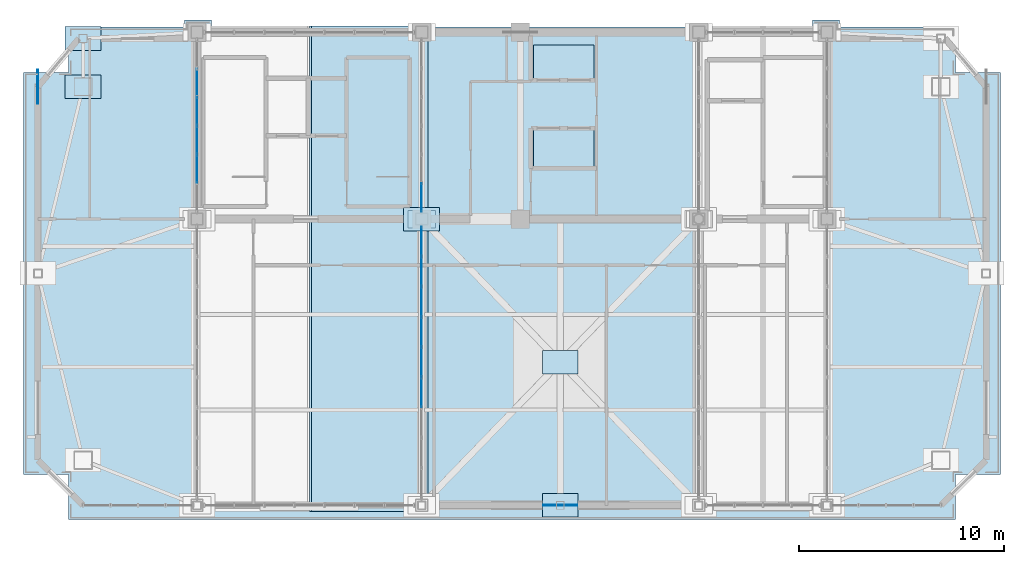
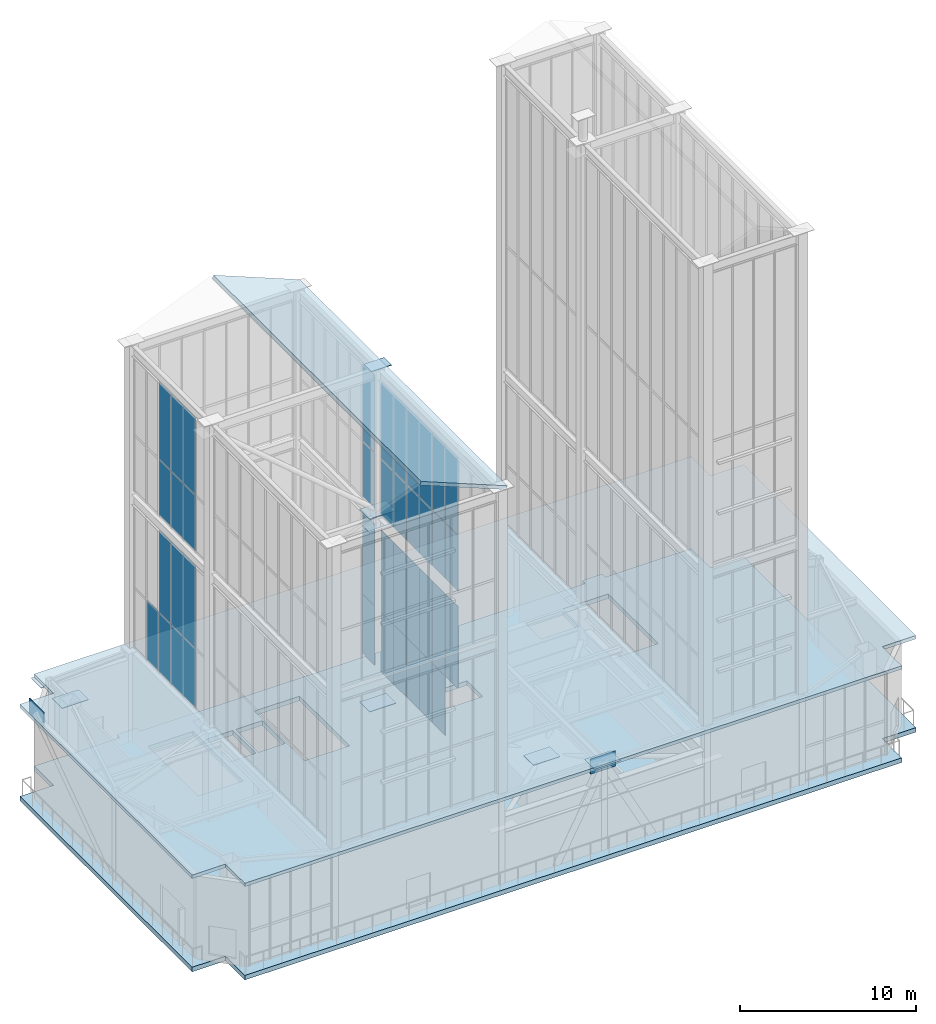
# One storey, part 125 of 135: 50 plates, 3 slabs, 6 elements without a shape of their own.
"""IFC4 building model written with IfcOpenShell, lengths in metres."""

from ifc_helpers import new_model, si_unit, direction, frame, origin, origin_2d, place, context, subcontext, project, spatial, polyline, rectangle, outline, extrude, source, transform, mapped, material, layer, layer_set, type_object, element, aggregate, save


model = new_model("IFC4")

# Units and contexts
model_context = context("Model", 3, precision=1e-05, world=origin(), true_north=direction((0.0, 1.0)))
body_context = subcontext(model_context, "Body", "Model", "MODEL_VIEW")
ifc_project = project(units=[si_unit("LENGTHUNIT", "METRE"), si_unit("AREAUNIT", "SQUARE_METRE"), si_unit("VOLUMEUNIT", "CUBIC_METRE"), si_unit("PLANEANGLEUNIT", "RADIAN"), si_unit("MASSUNIT", "GRAM", prefix="KILO")], contexts=[model_context])

# Site, building, storey
site_placement = place(None, origin())
site = spatial("IfcSite", under=ifc_project, at=site_placement, CompositionType="ELEMENT")
building_placement = place(site_placement, origin())
building = spatial("IfcBuilding", under=site, at=building_placement, Name="Giltprow Tower", CompositionType="ELEMENT")
storey_placement = place(building_placement, frame((0.0, 0.0, 352.699951171875)))
storey = spatial("IfcBuildingStorey", under=building, at=storey_placement, Name="L92", CompositionType="ELEMENT", Elevation=352.699951171875)

# Slabs
ifc_material_1 = material(Name="Concrete C40", Category="concrete")
ifc_layer_1 = layer(ifc_material_1, 0.239990234375, Name="Concrete C40")
ifc_layer_set_1 = layer_set([ifc_layer_1], Name="Concrete C40")
slab_type_1 = type_object("IfcSlabType", Name="SLB-CRN-DECK-240", PredefinedType="USERDEFINED", material=ifc_layer_set_1)
slab_1_placement = place(storey_placement, frame((0.0, 0.0, 6.16015625)))
element("IfcSlab", 1, at=slab_1_placement, inside=storey, type_object=slab_type_1, Name="L92 Crown Base Structural Deck", ObjectType="PLANT_DECK", PredefinedType="USERDEFINED", context=body_context, shape_type="SweptSolid", body=[
    extrude(outline(polyline([(13.60009765625, 22.800048828125), (56.800048828125, 22.800048828125), (56.800048828125, 25.0), (59.0, 25.0), (59.0, 44.60009765625), (56.800048828125, 44.60009765625), (56.800048828125, 46.800048828125), (13.60009765625, 46.800048828125), (13.60009765625, 44.60009765625), (11.39990234375, 44.60009765625), (11.39990234375, 25.0), (13.60009765625, 25.0), (13.60009765625, 22.800048828125)])), origin(), (0.0, 0.0, 1.0), 0.239990234375),
])
ifc_layer_2 = layer(ifc_material_1, 0.25, Name="Concrete C40")
ifc_layer_set_2 = layer_set([ifc_layer_2], Name="Concrete C40")
slab_type_2 = type_object("IfcSlabType", Name="SLB-CRN-ROOF-250", PredefinedType="ROOF", material=ifc_layer_set_2)
slab_2_placement = place(storey_placement, frame((25.423095703125, 23.199951171875, 29.9599609375), z_axis=(0.37450985994, 0.0, 0.927222931558), x_axis=(0.927222931558, 0.0, -0.37450985994)))
element("IfcSlab", 2, at=slab_2_placement, inside=storey, type_object=slab_type_2, Name="Crown West Pitched Roof Slab East", PredefinedType="ROOF", context=body_context, shape_type="SweptSolid", body=[
    extrude(outline(polyline([(0.0, 0.0), (6.122585798848525, 0.0), (6.122585798848525, 23.650146484375), (0.0, 23.650146484375), (0.0, 0.0)])), origin(), (0.0, 0.0, -1.0), 0.25),
])
ifc_layer_3 = layer(ifc_material_1, 0.320068359375, Name="Concrete C40")
ifc_layer_set_3 = layer_set([ifc_layer_3], Name="Concrete C40")
slab_type_3 = type_object("IfcSlabType", Name="SLB-TMD-320", PredefinedType="FLOOR", material=ifc_layer_set_3)
slab_3_placement = place(storey_placement, frame((0.0, 0.0, -0.320068359375)))
element("IfcSlab", 3, at=slab_3_placement, inside=storey, type_object=slab_type_3, Name="L92 Structural Composite Floor Slab", PredefinedType="FLOOR", context=body_context, shape_type="SweptSolid", body=[
    extrude(outline(polyline([(59.0, 44.60009765625), (59.0, 25.0), (56.800048828125, 25.0), (56.800048828125, 22.800048828125), (13.60009765625, 22.800048828125), (13.60009765625, 25.0), (11.39990234375, 25.0), (11.39990234375, 44.60009765625), (13.60009765625, 44.60009765625), (13.60009765625, 46.800048828125), (19.25, 46.800048828125), (19.25, 47.14990234375), (20.550048828125, 47.14990234375), (20.550048828125, 46.800048828125), (49.85009765625, 46.800048828125), (49.85009765625, 47.14990234375), (51.14990234375, 47.14990234375), (51.14990234375, 46.800048828125), (56.800048828125, 46.800048828125), (56.800048828125, 44.60009765625), (59.0, 44.60009765625)]), holes=[polyline([(39.18994140625, 41.800048828125), (36.239990234375, 41.800048828125), (36.239990234375, 40.0), (39.18994140625, 40.0), (39.18994140625, 41.800048828125)]), polyline([(23.159912109375, 45.25), (20.199951171875, 45.25), (20.199951171875, 39.570068359375), (23.159912109375, 39.570068359375), (23.159912109375, 45.25)]), polyline([(30.159912109375, 45.25), (27.199951171875, 45.25), (27.199951171875, 39.570068359375), (30.159912109375, 39.570068359375), (30.159912109375, 45.25)]), polyline([(50.4599609375, 45.25), (47.5, 45.25), (47.5, 39.570068359375), (50.4599609375, 39.570068359375), (50.4599609375, 45.25)]), polyline([(25.169921875, 44.199951171875), (23.449951171875, 44.199951171875), (23.449951171875, 41.60009765625), (25.169921875, 41.60009765625), (25.169921875, 44.199951171875)]), polyline([(27.10009765625, 44.199951171875), (25.35009765625, 44.199951171875), (25.35009765625, 41.60009765625), (27.10009765625, 41.60009765625), (27.10009765625, 44.199951171875)]), polyline([(47.3798828125, 45.10009765625), (44.919921875, 45.10009765625), (44.919921875, 43.300048828125), (47.3798828125, 43.300048828125), (47.3798828125, 45.10009765625)]), polyline([(39.18994140625, 45.919921875), (36.239990234375, 45.919921875), (36.239990234375, 44.300048828125), (39.18994140625, 44.300048828125), (39.18994140625, 45.919921875)])]), origin(), (0.0, 0.0, 1.0), 0.320068359375),
])

# Plates
ifc_material_2 = material(Name="Structural steel Q420GJC", Category="steel")
plate_type_1 = type_object("IfcPlateType", Name="PLT-CAP-SEAL-INT", PredefinedType="USERDEFINED", material=ifc_material_2)
shared_shape_1 = source(origin(), body_context, "Body", "SweptSolid", [
    extrude(rectangle(XDim=1.75, YDim=1.14990234375, at=origin_2d()), origin(), (0.0, 0.0, 1.0), 0.0400390625),
])
for number, where, z_axis, x_axis, name in (
    (4, (14.300048828125, 43.89990234375, 6.14013671875), (0.0, 0.0, 1.0), (1.0, 0.0, 0.0), "L92 Column Top Seal Plate MC_NW"),
    (5, (37.550048828125, 23.5, 6.14013671875), (0.0, 0.0, 1.0), (1.0, 0.0, 0.0), "L92 Column Top Seal Plate S_MID"),
    (6, (14.300048828125, 46.25, 6.14013671875), (0.0, 0.0, 1.0), (1.0, 0.0, 0.0), "L92 Column Top Seal Plate N_W"),
    (7, (30.800048828125, 37.449951171875, 4.030029296875), (0.0, 0.0, 1.0), (1.0, 0.0, 0.0), "TMD Strut Upper Seal 4"),
    (8, (37.550048828125, 30.47509765625, 2.179931640625), (0.0, 0.0, 1.0), (1.0, 0.0, 0.0), "TMD Central Hub Seal Plate"),
    (9, (30.800048828125, 37.449951171875, 16.47998046875), (0.0, 0.0, 1.0), (1.0, 0.0, 0.0), "Crown Brace Upper Seal Plate WEST-1"),
    (10, (30.800048828125, 37.449951171875, 17.429931640625), (0.0, 0.0, 1.0), (1.0, 0.0, 0.0), "Crown Brace Lower Seal Plate WEST-2"),
):
    element("IfcPlate", number, at=place(storey_placement, frame(where, z_axis=z_axis, x_axis=x_axis)), inside=storey, type_object=plate_type_1, Name=name, ObjectType="SPLICE", PredefinedType="USERDEFINED", context=body_context, shape_type="MappedRepresentation", body=[
        mapped(shared_shape_1, transform((0.0, 0.0, 0.0), x_axis=(1.0, 0.0, 0.0), y_axis=(0.0, 1.0, 0.0), z_axis=(0.0, 0.0, 1.0), scale=1.0)),
    ])
plate_type_2 = type_object("IfcPlateType", Name="PLT-NODE-MBN2", PredefinedType="USERDEFINED", material=ifc_material_2)
shared_shape_2 = source(origin(), body_context, "Body", "SweptSolid", [
    extrude(rectangle(XDim=1.64990234375, YDim=0.044921875, at=origin_2d()), origin(), (0.0, 0.0, 1.0), 1.050048828125),
])
for number, where, z_axis, x_axis, name in (
    (11, (37.550048828125, 23.5, 5.47509765625), (0.0, 0.0, 1.0), (1.0, 0.0, 0.0), "Mega-Brace Node L92-S-LB"),
    (12, (12.10009765625, 43.89990234375, 5.47509765625), (0.0, 0.0, 1.0), (0.0, 1.0, 0.0), "Mega-Brace Node L92-W-DB"),
):
    element("IfcPlate", number, at=place(storey_placement, frame(where, z_axis=z_axis, x_axis=x_axis)), inside=storey, type_object=plate_type_2, Name=name, ObjectType="GUSSET", PredefinedType="USERDEFINED", context=body_context, shape_type="MappedRepresentation", body=[
        mapped(shared_shape_2, transform((0.0, 0.0, 0.0), x_axis=(1.0, 0.0, 0.0), y_axis=(0.0, 1.0, 0.0), z_axis=(0.0, 0.0, 1.0), scale=1.0)),
    ])
plate_type_3 = type_object("IfcPlateType", Name="PLT-NODE-CRN1", PredefinedType="USERDEFINED", material=ifc_material_2)
shared_shape_3 = source(origin(), body_context, "Body", "SweptSolid", [
    extrude(rectangle(XDim=1.35009765625, YDim=0.85009765625, at=origin_2d()), origin(), (0.0, 0.0, 1.0), 0.035888671875),
])
plate_1_placement = place(storey_placement, frame((30.800048828125, 37.449951171875, 27.529296875), z_axis=(0.0, 0.0, 1.0), x_axis=(1.0, 0.0, 0.0)))
element("IfcPlate", 13, at=plate_1_placement, inside=storey, type_object=plate_type_3, Name="CRN1 Crown Frame Ring Node WEST-3", ObjectType="SPLICE", PredefinedType="USERDEFINED", context=body_context, shape_type="MappedRepresentation", body=[
    mapped(shared_shape_3, transform((0.0, 0.0, 0.0), x_axis=(1.0, 0.0, 0.0), y_axis=(0.0, 1.0, 0.0), z_axis=(0.0, 0.0, 1.0), scale=1.0)),
])

# Curtain wall, plates
ifc_material_3 = material(Name="Anodized bronze", Category="metal")
ifc_layer_4 = layer(ifc_material_3, 0.179931640625, Name="Anodized bronze")
ifc_layer_set_4 = layer_set([ifc_layer_4], Name="Anodized bronze")
curtain_wall_type = type_object("IfcCurtainWallType", Name="CW-CROWN-LANTERN", PredefinedType="NOTDEFINED", material=ifc_layer_set_4)
curtain_wall_1_placement = place(storey_placement, origin())
curtain_wall_1 = element("IfcCurtainWall", 14, at=curtain_wall_1_placement, inside=storey, type_object=curtain_wall_type, Name="Crown West Lower Lantern Glazing 2", PredefinedType="NOTDEFINED")
ifc_material_4 = material(Name="Insulated glass", Category="glass")
plate_type_4 = type_object("IfcPlateType", Name="CW-PANEL-IGU-28", PredefinedType="CURTAIN_PANEL", material=ifc_material_4)
shared_shape_4 = source(origin(), body_context, "Body", "SweptSolid", [
    extrude(rectangle(XDim=1.44189453125, YDim=0.028076171875, at=origin_2d()), origin(), (0.0, 0.0, 1.0), 4.111083984375),
])
plate_2_placement = place(storey_placement, frame((30.800048828125, 30.47509765625, 6.45361328125), z_axis=(0.0, 0.0, 1.0), x_axis=(0.0, 1.0, 0.0)))
plate_2 = element("IfcPlate", 15, at=plate_2_placement, type_object=plate_type_4, Name="Crown West Lower Lantern Glazing 2 Glazing Panel 5-1", PredefinedType="CURTAIN_PANEL", context=body_context, shape_type="MappedRepresentation", body=[
    mapped(shared_shape_4, transform((0.0, 0.0, 0.0), x_axis=(1.0, 0.0, 0.0), y_axis=(0.0, 1.0, 0.0), z_axis=(0.0, 0.0, 1.0), scale=1.0)),
])
plate_3_placement = place(storey_placement, frame((30.800048828125, 31.947021484375, 6.45361328125), z_axis=(0.0, 0.0, 1.0), x_axis=(0.0, 1.0, 0.0)))
plate_3 = element("IfcPlate", 16, at=plate_3_placement, type_object=plate_type_4, Name="Crown West Lower Lantern Glazing 2 Glazing Panel 6-1", PredefinedType="CURTAIN_PANEL", context=body_context, shape_type="MappedRepresentation", body=[
    mapped(shared_shape_4, transform((0.0, 0.0, 0.0), x_axis=(1.0, 0.0, 0.0), y_axis=(0.0, 1.0, 0.0), z_axis=(0.0, 0.0, 1.0), scale=1.0)),
])
plate_4_placement = place(storey_placement, frame((30.800048828125, 33.4189453125, 6.45361328125), z_axis=(0.0, 0.0, 1.0), x_axis=(0.0, 1.0, 0.0)))
plate_4 = element("IfcPlate", 17, at=plate_4_placement, type_object=plate_type_4, Name="Crown West Lower Lantern Glazing 2 Glazing Panel 7-1", PredefinedType="CURTAIN_PANEL", context=body_context, shape_type="MappedRepresentation", body=[
    mapped(shared_shape_4, transform((0.0, 0.0, 0.0), x_axis=(1.0, 0.0, 0.0), y_axis=(0.0, 1.0, 0.0), z_axis=(0.0, 0.0, 1.0), scale=1.0)),
])
plate_5_placement = place(storey_placement, frame((30.800048828125, 34.89208984375, 6.45361328125), z_axis=(0.0, 0.0, 1.0), x_axis=(0.0, 1.0, 0.0)))
plate_5 = element("IfcPlate", 18, at=plate_5_placement, type_object=plate_type_4, Name="Crown West Lower Lantern Glazing 2 Glazing Panel 8-1", PredefinedType="CURTAIN_PANEL", context=body_context, shape_type="MappedRepresentation", body=[
    mapped(shared_shape_4, transform((0.0, 0.0, 0.0), x_axis=(1.0, 0.0, 0.0), y_axis=(0.0, 1.0, 0.0), z_axis=(0.0, 0.0, 1.0), scale=1.0)),
])
plate_6_placement = place(storey_placement, frame((30.800048828125, 36.364013671875, 6.45361328125), z_axis=(0.0, 0.0, 1.0), x_axis=(0.0, 1.0, 0.0)))
plate_6 = element("IfcPlate", 19, at=plate_6_placement, type_object=plate_type_4, Name="Crown West Lower Lantern Glazing 2 Glazing Panel 9-1", PredefinedType="CURTAIN_PANEL", context=body_context, shape_type="MappedRepresentation", body=[
    mapped(shared_shape_4, transform((0.0, 0.0, 0.0), x_axis=(1.0, 0.0, 0.0), y_axis=(0.0, 1.0, 0.0), z_axis=(0.0, 0.0, 1.0), scale=1.0)),
])
shared_shape_5 = source(origin(), body_context, "Body", "SweptSolid", [
    extrude(rectangle(XDim=1.44189453125, YDim=0.028076171875, at=origin_2d()), origin(), (0.0, 0.0, 1.0), 5.702880859375),
])
plate_7_placement = place(storey_placement, frame((30.800048828125, 29.0029296875, 10.5927734375), z_axis=(0.0, 0.0, 1.0), x_axis=(0.0, 1.0, 0.0)))
plate_7 = element("IfcPlate", 20, at=plate_7_placement, type_object=plate_type_4, Name="Crown West Lower Lantern Glazing 2 Glazing Panel 4-2", PredefinedType="CURTAIN_PANEL", context=body_context, shape_type="MappedRepresentation", body=[
    mapped(shared_shape_5, transform((0.0, 0.0, 0.0), x_axis=(1.0, 0.0, 0.0), y_axis=(0.0, 1.0, 0.0), z_axis=(0.0, 0.0, 1.0), scale=1.0)),
])
plate_8_placement = place(storey_placement, frame((30.800048828125, 30.47509765625, 10.5927734375), z_axis=(0.0, 0.0, 1.0), x_axis=(0.0, 1.0, 0.0)))
plate_8 = element("IfcPlate", 21, at=plate_8_placement, type_object=plate_type_4, Name="Crown West Lower Lantern Glazing 2 Glazing Panel 5-2", PredefinedType="CURTAIN_PANEL", context=body_context, shape_type="MappedRepresentation", body=[
    mapped(shared_shape_5, transform((0.0, 0.0, 0.0), x_axis=(1.0, 0.0, 0.0), y_axis=(0.0, 1.0, 0.0), z_axis=(0.0, 0.0, 1.0), scale=1.0)),
])
plate_9_placement = place(storey_placement, frame((30.800048828125, 31.947021484375, 10.5927734375), z_axis=(0.0, 0.0, 1.0), x_axis=(0.0, 1.0, 0.0)))
plate_9 = element("IfcPlate", 22, at=plate_9_placement, type_object=plate_type_4, Name="Crown West Lower Lantern Glazing 2 Glazing Panel 6-2", PredefinedType="CURTAIN_PANEL", context=body_context, shape_type="MappedRepresentation", body=[
    mapped(shared_shape_5, transform((0.0, 0.0, 0.0), x_axis=(1.0, 0.0, 0.0), y_axis=(0.0, 1.0, 0.0), z_axis=(0.0, 0.0, 1.0), scale=1.0)),
])
plate_10_placement = place(storey_placement, frame((30.800048828125, 33.4189453125, 10.5927734375), z_axis=(0.0, 0.0, 1.0), x_axis=(0.0, 1.0, 0.0)))
plate_10 = element("IfcPlate", 23, at=plate_10_placement, type_object=plate_type_4, Name="Crown West Lower Lantern Glazing 2 Glazing Panel 7-2", PredefinedType="CURTAIN_PANEL", context=body_context, shape_type="MappedRepresentation", body=[
    mapped(shared_shape_5, transform((0.0, 0.0, 0.0), x_axis=(1.0, 0.0, 0.0), y_axis=(0.0, 1.0, 0.0), z_axis=(0.0, 0.0, 1.0), scale=1.0)),
])
plate_11_placement = place(storey_placement, frame((30.800048828125, 34.89208984375, 10.5927734375), z_axis=(0.0, 0.0, 1.0), x_axis=(0.0, 1.0, 0.0)))
plate_11 = element("IfcPlate", 24, at=plate_11_placement, type_object=plate_type_4, Name="Crown West Lower Lantern Glazing 2 Glazing Panel 8-2", PredefinedType="CURTAIN_PANEL", context=body_context, shape_type="MappedRepresentation", body=[
    mapped(shared_shape_5, transform((0.0, 0.0, 0.0), x_axis=(1.0, 0.0, 0.0), y_axis=(0.0, 1.0, 0.0), z_axis=(0.0, 0.0, 1.0), scale=1.0)),
])
plate_12_placement = place(storey_placement, frame((30.800048828125, 36.364013671875, 10.5927734375), z_axis=(0.0, 0.0, 1.0), x_axis=(0.0, 1.0, 0.0)))
plate_12 = element("IfcPlate", 25, at=plate_12_placement, type_object=plate_type_4, Name="Crown West Lower Lantern Glazing 2 Glazing Panel 9-2", PredefinedType="CURTAIN_PANEL", context=body_context, shape_type="MappedRepresentation", body=[
    mapped(shared_shape_5, transform((0.0, 0.0, 0.0), x_axis=(1.0, 0.0, 0.0), y_axis=(0.0, 1.0, 0.0), z_axis=(0.0, 0.0, 1.0), scale=1.0)),
])
aggregate(curtain_wall_1, [plate_7, plate_2, plate_8, plate_3, plate_9, plate_4, plate_10, plate_5, plate_11, plate_6, plate_12])

curtain_wall_2_placement = place(storey_placement, origin())
curtain_wall_2 = element("IfcCurtainWall", 26, at=curtain_wall_2_placement, inside=storey, type_object=curtain_wall_type, Name="Crown West Upper Lantern Glazing 2", PredefinedType="NOTDEFINED")
shared_shape_6 = source(origin(), body_context, "Body", "SweptSolid", [
    extrude(rectangle(XDim=1.44189453125, YDim=0.028076171875, at=origin_2d()), origin(), (0.0, 0.0, 1.0), 3.865966796875),
])
plate_13_placement = place(storey_placement, frame((30.800048828125, 29.0029296875, 17.35400390625), z_axis=(0.0, 0.0, 1.0), x_axis=(0.0, 1.0, 0.0)))
plate_13 = element("IfcPlate", 27, at=plate_13_placement, type_object=plate_type_4, Name="Crown West Upper Lantern Glazing 2 Glazing Panel 4-1", PredefinedType="CURTAIN_PANEL", context=body_context, shape_type="MappedRepresentation", body=[
    mapped(shared_shape_6, transform((0.0, 0.0, 0.0), x_axis=(1.0, 0.0, 0.0), y_axis=(0.0, 1.0, 0.0), z_axis=(0.0, 0.0, 1.0), scale=1.0)),
])
plate_14_placement = place(storey_placement, frame((30.800048828125, 30.47509765625, 17.35400390625), z_axis=(0.0, 0.0, 1.0), x_axis=(0.0, 1.0, 0.0)))
plate_14 = element("IfcPlate", 28, at=plate_14_placement, type_object=plate_type_4, Name="Crown West Upper Lantern Glazing 2 Glazing Panel 5-1", PredefinedType="CURTAIN_PANEL", context=body_context, shape_type="MappedRepresentation", body=[
    mapped(shared_shape_6, transform((0.0, 0.0, 0.0), x_axis=(1.0, 0.0, 0.0), y_axis=(0.0, 1.0, 0.0), z_axis=(0.0, 0.0, 1.0), scale=1.0)),
])
plate_15_placement = place(storey_placement, frame((30.800048828125, 31.947021484375, 17.35400390625), z_axis=(0.0, 0.0, 1.0), x_axis=(0.0, 1.0, 0.0)))
plate_15 = element("IfcPlate", 29, at=plate_15_placement, type_object=plate_type_4, Name="Crown West Upper Lantern Glazing 2 Glazing Panel 6-1", PredefinedType="CURTAIN_PANEL", context=body_context, shape_type="MappedRepresentation", body=[
    mapped(shared_shape_6, transform((0.0, 0.0, 0.0), x_axis=(1.0, 0.0, 0.0), y_axis=(0.0, 1.0, 0.0), z_axis=(0.0, 0.0, 1.0), scale=1.0)),
])
plate_16_placement = place(storey_placement, frame((30.800048828125, 33.4189453125, 17.35400390625), z_axis=(0.0, 0.0, 1.0), x_axis=(0.0, 1.0, 0.0)))
plate_16 = element("IfcPlate", 30, at=plate_16_placement, type_object=plate_type_4, Name="Crown West Upper Lantern Glazing 2 Glazing Panel 7-1", PredefinedType="CURTAIN_PANEL", context=body_context, shape_type="MappedRepresentation", body=[
    mapped(shared_shape_6, transform((0.0, 0.0, 0.0), x_axis=(1.0, 0.0, 0.0), y_axis=(0.0, 1.0, 0.0), z_axis=(0.0, 0.0, 1.0), scale=1.0)),
])
plate_17_placement = place(storey_placement, frame((30.800048828125, 34.89208984375, 17.35400390625), z_axis=(0.0, 0.0, 1.0), x_axis=(0.0, 1.0, 0.0)))
plate_17 = element("IfcPlate", 31, at=plate_17_placement, type_object=plate_type_4, Name="Crown West Upper Lantern Glazing 2 Glazing Panel 8-1", PredefinedType="CURTAIN_PANEL", context=body_context, shape_type="MappedRepresentation", body=[
    mapped(shared_shape_6, transform((0.0, 0.0, 0.0), x_axis=(1.0, 0.0, 0.0), y_axis=(0.0, 1.0, 0.0), z_axis=(0.0, 0.0, 1.0), scale=1.0)),
])
plate_18_placement = place(storey_placement, frame((30.800048828125, 36.364013671875, 17.35400390625), z_axis=(0.0, 0.0, 1.0), x_axis=(0.0, 1.0, 0.0)))
plate_18 = element("IfcPlate", 32, at=plate_18_placement, type_object=plate_type_4, Name="Crown West Upper Lantern Glazing 2 Glazing Panel 9-1", PredefinedType="CURTAIN_PANEL", context=body_context, shape_type="MappedRepresentation", body=[
    mapped(shared_shape_6, transform((0.0, 0.0, 0.0), x_axis=(1.0, 0.0, 0.0), y_axis=(0.0, 1.0, 0.0), z_axis=(0.0, 0.0, 1.0), scale=1.0)),
])
shared_shape_7 = source(origin(), body_context, "Body", "SweptSolid", [
    extrude(rectangle(XDim=1.44189453125, YDim=0.028076171875, at=origin_2d()), origin(), (0.0, 0.0, 1.0), 5.364990234375),
])
plate_19_placement = place(storey_placement, frame((30.800048828125, 29.0029296875, 21.24755859375), z_axis=(0.0, 0.0, 1.0), x_axis=(0.0, 1.0, 0.0)))
plate_19 = element("IfcPlate", 33, at=plate_19_placement, type_object=plate_type_4, Name="Crown West Upper Lantern Glazing 2 Glazing Panel 4-2", PredefinedType="CURTAIN_PANEL", context=body_context, shape_type="MappedRepresentation", body=[
    mapped(shared_shape_7, transform((0.0, 0.0, 0.0), x_axis=(1.0, 0.0, 0.0), y_axis=(0.0, 1.0, 0.0), z_axis=(0.0, 0.0, 1.0), scale=1.0)),
])
plate_20_placement = place(storey_placement, frame((30.800048828125, 30.47509765625, 21.24755859375), z_axis=(0.0, 0.0, 1.0), x_axis=(0.0, 1.0, 0.0)))
plate_20 = element("IfcPlate", 34, at=plate_20_placement, type_object=plate_type_4, Name="Crown West Upper Lantern Glazing 2 Glazing Panel 5-2", PredefinedType="CURTAIN_PANEL", context=body_context, shape_type="MappedRepresentation", body=[
    mapped(shared_shape_7, transform((0.0, 0.0, 0.0), x_axis=(1.0, 0.0, 0.0), y_axis=(0.0, 1.0, 0.0), z_axis=(0.0, 0.0, 1.0), scale=1.0)),
])
plate_21_placement = place(storey_placement, frame((30.800048828125, 31.947021484375, 21.24755859375), z_axis=(0.0, 0.0, 1.0), x_axis=(0.0, 1.0, 0.0)))
plate_21 = element("IfcPlate", 35, at=plate_21_placement, type_object=plate_type_4, Name="Crown West Upper Lantern Glazing 2 Glazing Panel 6-2", PredefinedType="CURTAIN_PANEL", context=body_context, shape_type="MappedRepresentation", body=[
    mapped(shared_shape_7, transform((0.0, 0.0, 0.0), x_axis=(1.0, 0.0, 0.0), y_axis=(0.0, 1.0, 0.0), z_axis=(0.0, 0.0, 1.0), scale=1.0)),
])
plate_22_placement = place(storey_placement, frame((30.800048828125, 33.4189453125, 21.24755859375), z_axis=(0.0, 0.0, 1.0), x_axis=(0.0, 1.0, 0.0)))
plate_22 = element("IfcPlate", 36, at=plate_22_placement, type_object=plate_type_4, Name="Crown West Upper Lantern Glazing 2 Glazing Panel 7-2", PredefinedType="CURTAIN_PANEL", context=body_context, shape_type="MappedRepresentation", body=[
    mapped(shared_shape_7, transform((0.0, 0.0, 0.0), x_axis=(1.0, 0.0, 0.0), y_axis=(0.0, 1.0, 0.0), z_axis=(0.0, 0.0, 1.0), scale=1.0)),
])
plate_23_placement = place(storey_placement, frame((30.800048828125, 34.89208984375, 21.24755859375), z_axis=(0.0, 0.0, 1.0), x_axis=(0.0, 1.0, 0.0)))
plate_23 = element("IfcPlate", 37, at=plate_23_placement, type_object=plate_type_4, Name="Crown West Upper Lantern Glazing 2 Glazing Panel 8-2", PredefinedType="CURTAIN_PANEL", context=body_context, shape_type="MappedRepresentation", body=[
    mapped(shared_shape_7, transform((0.0, 0.0, 0.0), x_axis=(1.0, 0.0, 0.0), y_axis=(0.0, 1.0, 0.0), z_axis=(0.0, 0.0, 1.0), scale=1.0)),
])
plate_24_placement = place(storey_placement, frame((30.800048828125, 36.364013671875, 21.24755859375), z_axis=(0.0, 0.0, 1.0), x_axis=(0.0, 1.0, 0.0)))
plate_24 = element("IfcPlate", 38, at=plate_24_placement, type_object=plate_type_4, Name="Crown West Upper Lantern Glazing 2 Glazing Panel 9-2", PredefinedType="CURTAIN_PANEL", context=body_context, shape_type="MappedRepresentation", body=[
    mapped(shared_shape_7, transform((0.0, 0.0, 0.0), x_axis=(1.0, 0.0, 0.0), y_axis=(0.0, 1.0, 0.0), z_axis=(0.0, 0.0, 1.0), scale=1.0)),
])
aggregate(curtain_wall_2, [plate_13, plate_19, plate_14, plate_20, plate_15, plate_21, plate_16, plate_22, plate_17, plate_23, plate_18, plate_24])

# Curtain wall, plate
curtain_wall_3_placement = place(storey_placement, origin())
curtain_wall_3 = element("IfcCurtainWall", 39, at=curtain_wall_3_placement, inside=storey, type_object=curtain_wall_type, Name="Crown West Lower Lantern Glazing 3", PredefinedType="NOTDEFINED")
shared_shape_8 = source(origin(), body_context, "Body", "SweptSolid", [
    extrude(rectangle(XDim=1.3701171875, YDim=0.028076171875, at=origin_2d()), origin(), (0.0, 0.0, 1.0), 4.111083984375),
])
plate_25_placement = place(storey_placement, frame((30.800048828125, 38.5, 6.45361328125), z_axis=(0.0, 0.0, 1.0), x_axis=(0.0, 1.0, 0.0)))
plate_25 = element("IfcPlate", 40, at=plate_25_placement, type_object=plate_type_4, Name="Crown West Lower Lantern Glazing 3 Glazing Panel 1-1", PredefinedType="CURTAIN_PANEL", context=body_context, shape_type="MappedRepresentation", body=[
    mapped(shared_shape_8, transform((0.0, 0.0, 0.0), x_axis=(1.0, 0.0, 0.0), y_axis=(0.0, 1.0, 0.0), z_axis=(0.0, 0.0, 1.0), scale=1.0)),
])

# Curtain wall, plates
curtain_wall_4_placement = place(storey_placement, origin())
curtain_wall_4 = element("IfcCurtainWall", 41, at=curtain_wall_4_placement, inside=storey, type_object=curtain_wall_type, Name="Crown West Lower Lantern Glazing 5", PredefinedType="NOTDEFINED")
plate_26_placement = place(storey_placement, frame((19.85009765625, 44.10009765625, 6.45361328125), z_axis=(0.0, 0.0, 1.0), x_axis=(0.0, -1.0, 0.0)))
plate_26 = element("IfcPlate", 42, at=plate_26_placement, type_object=plate_type_4, Name="Crown West Lower Lantern Glazing 5 Glazing Panel 2-1", PredefinedType="CURTAIN_PANEL", context=body_context, shape_type="MappedRepresentation", body=[
    mapped(shared_shape_8, transform((0.0, 0.0, 0.0), x_axis=(1.0, 0.0, 0.0), y_axis=(0.0, 1.0, 0.0), z_axis=(0.0, 0.0, 1.0), scale=1.0)),
])
plate_27_placement = place(storey_placement, frame((19.85009765625, 42.699951171875, 6.45361328125), z_axis=(0.0, 0.0, 1.0), x_axis=(0.0, -1.0, 0.0)))
plate_27 = element("IfcPlate", 43, at=plate_27_placement, type_object=plate_type_4, Name="Crown West Lower Lantern Glazing 5 Glazing Panel 3-1", PredefinedType="CURTAIN_PANEL", context=body_context, shape_type="MappedRepresentation", body=[
    mapped(shared_shape_8, transform((0.0, 0.0, 0.0), x_axis=(1.0, 0.0, 0.0), y_axis=(0.0, 1.0, 0.0), z_axis=(0.0, 0.0, 1.0), scale=1.0)),
])
plate_28_placement = place(storey_placement, frame((19.85009765625, 41.300048828125, 6.45361328125), z_axis=(0.0, 0.0, 1.0), x_axis=(0.0, -1.0, 0.0)))
plate_28 = element("IfcPlate", 44, at=plate_28_placement, type_object=plate_type_4, Name="Crown West Lower Lantern Glazing 5 Glazing Panel 4-1", PredefinedType="CURTAIN_PANEL", context=body_context, shape_type="MappedRepresentation", body=[
    mapped(shared_shape_8, transform((0.0, 0.0, 0.0), x_axis=(1.0, 0.0, 0.0), y_axis=(0.0, 1.0, 0.0), z_axis=(0.0, 0.0, 1.0), scale=1.0)),
])
plate_29_placement = place(storey_placement, frame((19.85009765625, 39.89990234375, 6.45361328125), z_axis=(0.0, 0.0, 1.0), x_axis=(0.0, -1.0, 0.0)))
plate_29 = element("IfcPlate", 45, at=plate_29_placement, type_object=plate_type_4, Name="Crown West Lower Lantern Glazing 5 Glazing Panel 5-1", PredefinedType="CURTAIN_PANEL", context=body_context, shape_type="MappedRepresentation", body=[
    mapped(shared_shape_8, transform((0.0, 0.0, 0.0), x_axis=(1.0, 0.0, 0.0), y_axis=(0.0, 1.0, 0.0), z_axis=(0.0, 0.0, 1.0), scale=1.0)),
])

# Plate
shared_shape_9 = source(origin(), body_context, "Body", "SweptSolid", [
    extrude(rectangle(XDim=1.3701171875, YDim=0.028076171875, at=origin_2d()), origin(), (0.0, 0.0, 1.0), 5.702880859375),
])
plate_30_placement = place(storey_placement, frame((30.800048828125, 38.5, 10.5927734375), z_axis=(0.0, 0.0, 1.0), x_axis=(0.0, 1.0, 0.0)))
plate_30 = element("IfcPlate", 46, at=plate_30_placement, type_object=plate_type_4, Name="Crown West Lower Lantern Glazing 3 Glazing Panel 1-2", PredefinedType="CURTAIN_PANEL", context=body_context, shape_type="MappedRepresentation", body=[
    mapped(shared_shape_9, transform((0.0, 0.0, 0.0), x_axis=(1.0, 0.0, 0.0), y_axis=(0.0, 1.0, 0.0), z_axis=(0.0, 0.0, 1.0), scale=1.0)),
])

aggregate(curtain_wall_3, [plate_25, plate_30])

plate_31_placement = place(storey_placement, frame((19.85009765625, 42.699951171875, 10.5927734375), z_axis=(0.0, 0.0, 1.0), x_axis=(0.0, -1.0, 0.0)))
plate_31 = element("IfcPlate", 47, at=plate_31_placement, type_object=plate_type_4, Name="Crown West Lower Lantern Glazing 5 Glazing Panel 3-2", PredefinedType="CURTAIN_PANEL", context=body_context, shape_type="MappedRepresentation", body=[
    mapped(shared_shape_9, transform((0.0, 0.0, 0.0), x_axis=(1.0, 0.0, 0.0), y_axis=(0.0, 1.0, 0.0), z_axis=(0.0, 0.0, 1.0), scale=1.0)),
])

plate_32_placement = place(storey_placement, frame((19.85009765625, 41.300048828125, 10.5927734375), z_axis=(0.0, 0.0, 1.0), x_axis=(0.0, -1.0, 0.0)))
plate_32 = element("IfcPlate", 48, at=plate_32_placement, type_object=plate_type_4, Name="Crown West Lower Lantern Glazing 5 Glazing Panel 4-2", PredefinedType="CURTAIN_PANEL", context=body_context, shape_type="MappedRepresentation", body=[
    mapped(shared_shape_9, transform((0.0, 0.0, 0.0), x_axis=(1.0, 0.0, 0.0), y_axis=(0.0, 1.0, 0.0), z_axis=(0.0, 0.0, 1.0), scale=1.0)),
])

plate_33_placement = place(storey_placement, frame((19.85009765625, 39.89990234375, 10.5927734375), z_axis=(0.0, 0.0, 1.0), x_axis=(0.0, -1.0, 0.0)))
plate_33 = element("IfcPlate", 49, at=plate_33_placement, type_object=plate_type_4, Name="Crown West Lower Lantern Glazing 5 Glazing Panel 5-2", PredefinedType="CURTAIN_PANEL", context=body_context, shape_type="MappedRepresentation", body=[
    mapped(shared_shape_9, transform((0.0, 0.0, 0.0), x_axis=(1.0, 0.0, 0.0), y_axis=(0.0, 1.0, 0.0), z_axis=(0.0, 0.0, 1.0), scale=1.0)),
])

aggregate(curtain_wall_4, [plate_26, plate_27, plate_31, plate_28, plate_32, plate_29, plate_33])

# Curtain wall, plate
curtain_wall_5_placement = place(storey_placement, origin())
curtain_wall_5 = element("IfcCurtainWall", 50, at=curtain_wall_5_placement, inside=storey, type_object=curtain_wall_type, Name="Crown West Upper Lantern Glazing 3", PredefinedType="NOTDEFINED")
shared_shape_10 = source(origin(), body_context, "Body", "SweptSolid", [
    extrude(rectangle(XDim=1.3701171875, YDim=0.028076171875, at=origin_2d()), origin(), (0.0, 0.0, 1.0), 3.865966796875),
])
plate_34_placement = place(storey_placement, frame((30.800048828125, 38.5, 17.35400390625), z_axis=(0.0, 0.0, 1.0), x_axis=(0.0, 1.0, 0.0)))
plate_34 = element("IfcPlate", 51, at=plate_34_placement, type_object=plate_type_4, Name="Crown West Upper Lantern Glazing 3 Glazing Panel 1-1", PredefinedType="CURTAIN_PANEL", context=body_context, shape_type="MappedRepresentation", body=[
    mapped(shared_shape_10, transform((0.0, 0.0, 0.0), x_axis=(1.0, 0.0, 0.0), y_axis=(0.0, 1.0, 0.0), z_axis=(0.0, 0.0, 1.0), scale=1.0)),
])

# Curtain wall, plates
curtain_wall_6_placement = place(storey_placement, origin())
curtain_wall_6 = element("IfcCurtainWall", 52, at=curtain_wall_6_placement, inside=storey, type_object=curtain_wall_type, Name="Crown West Upper Lantern Glazing 5", PredefinedType="NOTDEFINED")
plate_35_placement = place(storey_placement, frame((19.85009765625, 42.699951171875, 17.35400390625), z_axis=(0.0, 0.0, 1.0), x_axis=(0.0, -1.0, 0.0)))
plate_35 = element("IfcPlate", 53, at=plate_35_placement, type_object=plate_type_4, Name="Crown West Upper Lantern Glazing 5 Glazing Panel 3-1", PredefinedType="CURTAIN_PANEL", context=body_context, shape_type="MappedRepresentation", body=[
    mapped(shared_shape_10, transform((0.0, 0.0, 0.0), x_axis=(1.0, 0.0, 0.0), y_axis=(0.0, 1.0, 0.0), z_axis=(0.0, 0.0, 1.0), scale=1.0)),
])
plate_36_placement = place(storey_placement, frame((19.85009765625, 41.300048828125, 17.35400390625), z_axis=(0.0, 0.0, 1.0), x_axis=(0.0, -1.0, 0.0)))
plate_36 = element("IfcPlate", 54, at=plate_36_placement, type_object=plate_type_4, Name="Crown West Upper Lantern Glazing 5 Glazing Panel 4-1", PredefinedType="CURTAIN_PANEL", context=body_context, shape_type="MappedRepresentation", body=[
    mapped(shared_shape_10, transform((0.0, 0.0, 0.0), x_axis=(1.0, 0.0, 0.0), y_axis=(0.0, 1.0, 0.0), z_axis=(0.0, 0.0, 1.0), scale=1.0)),
])
plate_37_placement = place(storey_placement, frame((19.85009765625, 39.89990234375, 17.35400390625), z_axis=(0.0, 0.0, 1.0), x_axis=(0.0, -1.0, 0.0)))
plate_37 = element("IfcPlate", 55, at=plate_37_placement, type_object=plate_type_4, Name="Crown West Upper Lantern Glazing 5 Glazing Panel 5-1", PredefinedType="CURTAIN_PANEL", context=body_context, shape_type="MappedRepresentation", body=[
    mapped(shared_shape_10, transform((0.0, 0.0, 0.0), x_axis=(1.0, 0.0, 0.0), y_axis=(0.0, 1.0, 0.0), z_axis=(0.0, 0.0, 1.0), scale=1.0)),
])

# Plate
shared_shape_11 = source(origin(), body_context, "Body", "SweptSolid", [
    extrude(rectangle(XDim=1.3701171875, YDim=0.028076171875, at=origin_2d()), origin(), (0.0, 0.0, 1.0), 5.364990234375),
])
plate_38_placement = place(storey_placement, frame((30.800048828125, 38.5, 21.24755859375), z_axis=(0.0, 0.0, 1.0), x_axis=(0.0, 1.0, 0.0)))
plate_38 = element("IfcPlate", 56, at=plate_38_placement, type_object=plate_type_4, Name="Crown West Upper Lantern Glazing 3 Glazing Panel 1-2", PredefinedType="CURTAIN_PANEL", context=body_context, shape_type="MappedRepresentation", body=[
    mapped(shared_shape_11, transform((0.0, 0.0, 0.0), x_axis=(1.0, 0.0, 0.0), y_axis=(0.0, 1.0, 0.0), z_axis=(0.0, 0.0, 1.0), scale=1.0)),
])

aggregate(curtain_wall_5, [plate_34, plate_38])

plate_39_placement = place(storey_placement, frame((19.85009765625, 42.699951171875, 21.24755859375), z_axis=(0.0, 0.0, 1.0), x_axis=(0.0, -1.0, 0.0)))
plate_39 = element("IfcPlate", 57, at=plate_39_placement, type_object=plate_type_4, Name="Crown West Upper Lantern Glazing 5 Glazing Panel 3-2", PredefinedType="CURTAIN_PANEL", context=body_context, shape_type="MappedRepresentation", body=[
    mapped(shared_shape_11, transform((0.0, 0.0, 0.0), x_axis=(1.0, 0.0, 0.0), y_axis=(0.0, 1.0, 0.0), z_axis=(0.0, 0.0, 1.0), scale=1.0)),
])

plate_40_placement = place(storey_placement, frame((19.85009765625, 41.300048828125, 21.24755859375), z_axis=(0.0, 0.0, 1.0), x_axis=(0.0, -1.0, 0.0)))
plate_40 = element("IfcPlate", 58, at=plate_40_placement, type_object=plate_type_4, Name="Crown West Upper Lantern Glazing 5 Glazing Panel 4-2", PredefinedType="CURTAIN_PANEL", context=body_context, shape_type="MappedRepresentation", body=[
    mapped(shared_shape_11, transform((0.0, 0.0, 0.0), x_axis=(1.0, 0.0, 0.0), y_axis=(0.0, 1.0, 0.0), z_axis=(0.0, 0.0, 1.0), scale=1.0)),
])

plate_41_placement = place(storey_placement, frame((19.85009765625, 39.89990234375, 21.24755859375), z_axis=(0.0, 0.0, 1.0), x_axis=(0.0, -1.0, 0.0)))
plate_41 = element("IfcPlate", 59, at=plate_41_placement, type_object=plate_type_4, Name="Crown West Upper Lantern Glazing 5 Glazing Panel 5-2", PredefinedType="CURTAIN_PANEL", context=body_context, shape_type="MappedRepresentation", body=[
    mapped(shared_shape_11, transform((0.0, 0.0, 0.0), x_axis=(1.0, 0.0, 0.0), y_axis=(0.0, 1.0, 0.0), z_axis=(0.0, 0.0, 1.0), scale=1.0)),
])

aggregate(curtain_wall_6, [plate_35, plate_39, plate_36, plate_40, plate_37, plate_41])

save(model, "model.ifc")
